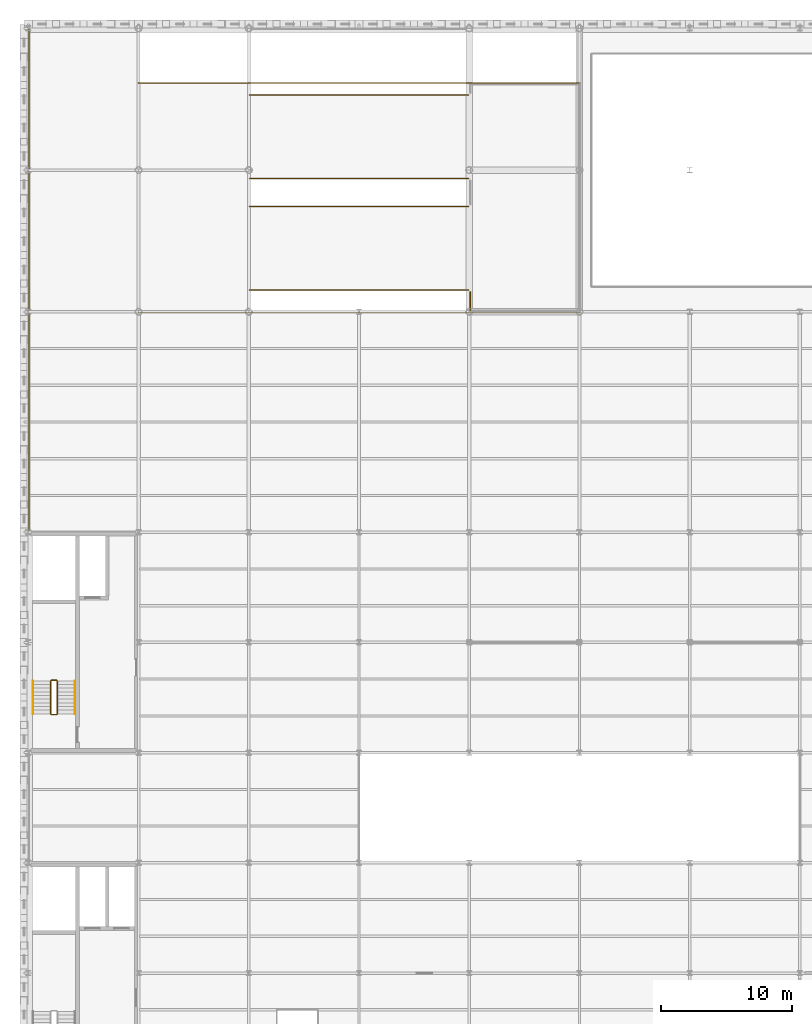
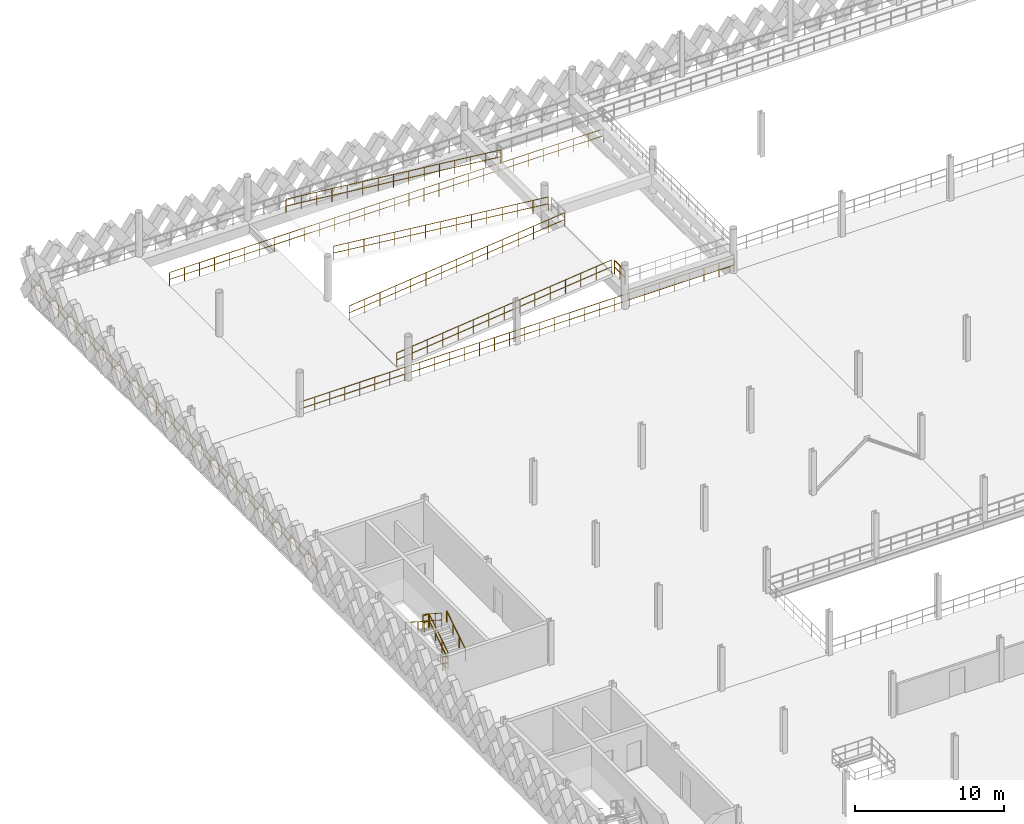
# One storey, part 69 of 74: 14 railings.
"""IFC4 building model written with IfcOpenShell, lengths in metres."""

from ifc_helpers import new_model, si_unit, direction, frame, origin, origin_2d, place, context, subcontext, project, spatial, circle, extrude, material, type_object, element, save


model = new_model("IFC4")

# Units and contexts
model_context = context("Model", 3, precision=1e-05, world=origin(), true_north=direction((0.0, 1.0)))
body_context = subcontext(model_context, "Body", "Model", "MODEL_VIEW")
ifc_project = project(units=[si_unit("LENGTHUNIT", "METRE"), si_unit("AREAUNIT", "SQUARE_METRE"), si_unit("VOLUMEUNIT", "CUBIC_METRE"), si_unit("PLANEANGLEUNIT", "RADIAN"), si_unit("MASSUNIT", "GRAM", prefix="KILO"), si_unit("THERMODYNAMICTEMPERATUREUNIT", "KELVIN"), si_unit("POWERUNIT", "WATT")], contexts=[model_context])

# Site, building, storey
site_placement = place(None, origin())
site = spatial("IfcSite", under=ifc_project, at=site_placement, CompositionType="ELEMENT")
building_placement = place(site_placement, origin())
building = spatial("IfcBuilding", under=site, at=building_placement, Name="Tembeka Court Mobility Hub", CompositionType="ELEMENT")
storey_placement = place(building_placement, frame((0.0, 0.0, 12.60009765625)))
storey = spatial("IfcBuildingStorey", under=building, at=storey_placement, Name="L03", CompositionType="ELEMENT", Elevation=12.60009765625)

# Railings
ifc_material_1 = material(Name="Painted galvanised steel balustrade", Category="steel")
railing_type_1 = type_object("IfcRailingType", Name="RL-GR01", PredefinedType="GUARDRAIL", material=ifc_material_1)
railing_1_placement = place(storey_placement, frame((2.199951171875, 66.550048828125, 0.179931640625)))
element("IfcRailing", 1, at=railing_1_placement, inside=storey, type_object=railing_type_1, Name="L03 ST03 stair guard 1-1", PredefinedType="GUARDRAIL", context=body_context, shape_type="SweptSolid", body=[
    extrude(circle(Radius=0.02392578125, at=origin_2d()), frame((0.0, 0.0, 1.09619140625), z_axis=(0.0, 0.841199657755, 0.540724639528), x_axis=(-1.0, 0.0, 0.0)), (0.0, 0.0, 1.0), 2.995849609375),
    extrude(circle(Radius=0.02392578125, at=origin_2d()), frame((0.0, 0.0, 0.5361328125), z_axis=(0.0, 0.841199657755, 0.540724639528), x_axis=(-1.0, 0.0, 0.0)), (0.0, 0.0, 1.0), 2.995849609375),
    extrude(circle(Radius=0.02099609375, at=origin_2d()), origin(), (0.0, 0.0, 1.0), 1.072021484375),
    extrude(circle(Radius=0.02099609375, at=origin_2d()), frame((0.0, 0.840087890625, 0.5400390625)), (0.0, 0.0, 1.0), 1.072021484375),
    extrude(circle(Radius=0.02099609375, at=origin_2d()), frame((0.0, 1.679931640625, 1.079833984375)), (0.0, 0.0, 1.0), 1.072021484375),
    extrude(circle(Radius=0.02099609375, at=origin_2d()), frame((0.0, 2.52001953125, 1.619873046875)), (0.0, 0.0, 1.0), 1.072021484375),
])
railing_2_placement = place(storey_placement, frame((2.14990234375, 69.1201171875, 1.7998046875)))
element("IfcRailing", 2, at=railing_2_placement, inside=storey, type_object=railing_type_1, Name="L03 ST03 stair guard 2-1", PredefinedType="GUARDRAIL", context=body_context, shape_type="SweptSolid", body=[
    extrude(circle(Radius=0.02392578125, at=origin_2d()), frame((0.0, 0.0, 1.09619140625), z_axis=(-1.0, 0.0, 0.0), x_axis=(0.0, -1.0, 0.0)), (0.0, 0.0, 1.0), 0.39990234375),
    extrude(circle(Radius=0.02392578125, at=origin_2d()), frame((0.0, 0.0, 0.5361328125), z_axis=(-1.0, 0.0, 0.0), x_axis=(0.0, -1.0, 0.0)), (0.0, 0.0, 1.0), 0.39990234375),
    extrude(circle(Radius=0.02099609375, at=origin_2d()), origin(), (0.0, 0.0, 1.0), 1.072021484375),
    extrude(circle(Radius=0.02099609375, at=origin_2d()), frame((-0.39990234375, 0.0, 0.0)), (0.0, 0.0, 1.0), 1.072021484375),
])
railing_3_placement = place(storey_placement, frame((1.699951171875, 69.070068359375, 1.97998046875)))
element("IfcRailing", 3, at=railing_3_placement, inside=storey, type_object=railing_type_1, Name="L03 ST03 stair guard 3-1", PredefinedType="GUARDRAIL", context=body_context, shape_type="SweptSolid", body=[
    extrude(circle(Radius=0.02392578125, at=origin_2d()), frame((0.0, 0.0, 1.09619140625), z_axis=(0.0, -0.841199657755, 0.540724639528), x_axis=(1.0, 0.0, 0.0)), (0.0, 0.0, 1.0), 2.995849609375),
    extrude(circle(Radius=0.02392578125, at=origin_2d()), frame((0.0, 0.0, 0.5361328125), z_axis=(0.0, -0.841199657755, 0.540724639528), x_axis=(1.0, 0.0, 0.0)), (0.0, 0.0, 1.0), 2.995849609375),
    extrude(circle(Radius=0.02099609375, at=origin_2d()), origin(), (0.0, 0.0, 1.0), 1.072021484375),
    extrude(circle(Radius=0.02099609375, at=origin_2d()), frame((0.0, -0.840087890625, 0.5400390625)), (0.0, 0.0, 1.0), 1.072021484375),
    extrude(circle(Radius=0.02099609375, at=origin_2d()), frame((0.0, -1.679931640625, 1.079833984375)), (0.0, 0.0, 1.0), 1.072021484375),
    extrude(circle(Radius=0.02099609375, at=origin_2d()), frame((0.0, -2.52001953125, 1.619873046875)), (0.0, 0.0, 1.0), 1.072021484375),
])
railing_4_placement = place(storey_placement, frame((2.14990234375, 66.5, 0.0)))
element("IfcRailing", 4, at=railing_4_placement, inside=storey, type_object=railing_type_1, Name="L03 ST03 stair guard 4-1", PredefinedType="GUARDRAIL", context=body_context, shape_type="SweptSolid", body=[
    extrude(circle(Radius=0.02392578125, at=origin_2d()), frame((0.0, 0.0, 1.09619140625), z_axis=(-1.0, 0.0, 0.0), x_axis=(0.0, -1.0, 0.0)), (0.0, 0.0, 1.0), 0.39990234375),
    extrude(circle(Radius=0.02392578125, at=origin_2d()), frame((0.0, 0.0, 0.5361328125), z_axis=(-1.0, 0.0, 0.0), x_axis=(0.0, -1.0, 0.0)), (0.0, 0.0, 1.0), 0.39990234375),
    extrude(circle(Radius=0.02099609375, at=origin_2d()), origin(), (0.0, 0.0, 1.0), 1.072021484375),
    extrude(circle(Radius=0.02099609375, at=origin_2d()), frame((-0.39990234375, 0.0, 0.0)), (0.0, 0.0, 1.0), 1.072021484375),
])
railing_type_2 = type_object("IfcRailingType", Name="RL-GR02", PredefinedType="GUARDRAIL", material=ifc_material_1)
railing_5_placement = place(storey_placement, frame((0.050048828125, 80.429931640625, 0.0)))
element("IfcRailing", 5, at=railing_5_placement, inside=storey, type_object=railing_type_2, Name="Perimeter guard GR02-0123", PredefinedType="GUARDRAIL", context=body_context, shape_type="SweptSolid", body=[
    extrude(circle(Radius=0.02392578125, at=origin_2d()), frame((0.0, 0.0, 1.09619140625), z_axis=(0.0, 1.0, 0.0), x_axis=(-1.0, 0.0, 0.0)), (0.0, 0.0, 1.0), 38.2900390625),
    extrude(circle(Radius=0.02392578125, at=origin_2d()), frame((0.0, 0.0, 0.5361328125), z_axis=(0.0, 1.0, 0.0), x_axis=(-1.0, 0.0, 0.0)), (0.0, 0.0, 1.0), 38.2900390625),
    extrude(circle(Radius=0.02099609375, at=origin_2d()), origin(), (0.0, 0.0, 1.0), 1.072021484375),
    extrude(circle(Radius=0.02099609375, at=origin_2d()), frame((0.0, 1.196533203125, 0.0)), (0.0, 0.0, 1.0), 1.072021484375),
    extrude(circle(Radius=0.02099609375, at=origin_2d()), frame((0.0, 2.39306640625, 0.0)), (0.0, 0.0, 1.0), 1.072021484375),
    extrude(circle(Radius=0.02099609375, at=origin_2d()), frame((0.0, 3.589599609375, 0.0)), (0.0, 0.0, 1.0), 1.072021484375),
    extrude(circle(Radius=0.02099609375, at=origin_2d()), frame((0.0, 4.7861328125, 0.0)), (0.0, 0.0, 1.0), 1.072021484375),
    extrude(circle(Radius=0.02099609375, at=origin_2d()), frame((0.0, 5.98291015625, 0.0)), (0.0, 0.0, 1.0), 1.072021484375),
    extrude(circle(Radius=0.02099609375, at=origin_2d()), frame((0.0, 7.179443359375, 0.0)), (0.0, 0.0, 1.0), 1.072021484375),
    extrude(circle(Radius=0.02099609375, at=origin_2d()), frame((0.0, 8.3759765625, 0.0)), (0.0, 0.0, 1.0), 1.072021484375),
    extrude(circle(Radius=0.02099609375, at=origin_2d()), frame((0.0, 9.572509765625, 0.0)), (0.0, 0.0, 1.0), 1.072021484375),
    extrude(circle(Radius=0.02099609375, at=origin_2d()), frame((0.0, 10.76904296875, 0.0)), (0.0, 0.0, 1.0), 1.072021484375),
    extrude(circle(Radius=0.02099609375, at=origin_2d()), frame((0.0, 11.965576171875, 0.0)), (0.0, 0.0, 1.0), 1.072021484375),
    extrude(circle(Radius=0.02099609375, at=origin_2d()), frame((0.0, 13.162109375, 0.0)), (0.0, 0.0, 1.0), 1.072021484375),
    extrude(circle(Radius=0.02099609375, at=origin_2d()), frame((0.0, 14.35888671875, 0.0)), (0.0, 0.0, 1.0), 1.072021484375),
    extrude(circle(Radius=0.02099609375, at=origin_2d()), frame((0.0, 15.555419921875, 0.0)), (0.0, 0.0, 1.0), 1.072021484375),
    extrude(circle(Radius=0.02099609375, at=origin_2d()), frame((0.0, 16.751953125, 0.0)), (0.0, 0.0, 1.0), 1.072021484375),
    extrude(circle(Radius=0.02099609375, at=origin_2d()), frame((0.0, 17.948486328125, 0.0)), (0.0, 0.0, 1.0), 1.072021484375),
    extrude(circle(Radius=0.02099609375, at=origin_2d()), frame((0.0, 19.14501953125, 0.0)), (0.0, 0.0, 1.0), 1.072021484375),
    extrude(circle(Radius=0.02099609375, at=origin_2d()), frame((0.0, 20.341552734375, 0.0)), (0.0, 0.0, 1.0), 1.072021484375),
    extrude(circle(Radius=0.02099609375, at=origin_2d()), frame((0.0, 21.5380859375, 0.0)), (0.0, 0.0, 1.0), 1.072021484375),
    extrude(circle(Radius=0.02099609375, at=origin_2d()), frame((0.0, 22.734619140625, 0.0)), (0.0, 0.0, 1.0), 1.072021484375),
    extrude(circle(Radius=0.02099609375, at=origin_2d()), frame((0.0, 23.93115234375, 0.0)), (0.0, 0.0, 1.0), 1.072021484375),
    extrude(circle(Radius=0.02099609375, at=origin_2d()), frame((0.0, 25.1279296875, 0.0)), (0.0, 0.0, 1.0), 1.072021484375),
    extrude(circle(Radius=0.02099609375, at=origin_2d()), frame((0.0, 26.324462890625, 0.0)), (0.0, 0.0, 1.0), 1.072021484375),
    extrude(circle(Radius=0.02099609375, at=origin_2d()), frame((0.0, 27.52099609375, 0.0)), (0.0, 0.0, 1.0), 1.072021484375),
    extrude(circle(Radius=0.02099609375, at=origin_2d()), frame((0.0, 28.717529296875, 0.0)), (0.0, 0.0, 1.0), 1.072021484375),
    extrude(circle(Radius=0.02099609375, at=origin_2d()), frame((0.0, 29.9140625, 0.0)), (0.0, 0.0, 1.0), 1.072021484375),
    extrude(circle(Radius=0.02099609375, at=origin_2d()), frame((0.0, 31.110595703125, 0.0)), (0.0, 0.0, 1.0), 1.072021484375),
    extrude(circle(Radius=0.02099609375, at=origin_2d()), frame((0.0, 32.30712890625, 0.0)), (0.0, 0.0, 1.0), 1.072021484375),
    extrude(circle(Radius=0.02099609375, at=origin_2d()), frame((0.0, 33.50390625, 0.0)), (0.0, 0.0, 1.0), 1.072021484375),
    extrude(circle(Radius=0.02099609375, at=origin_2d()), frame((0.0, 34.700439453125, 0.0)), (0.0, 0.0, 1.0), 1.072021484375),
    extrude(circle(Radius=0.02099609375, at=origin_2d()), frame((0.0, 35.89697265625, 0.0)), (0.0, 0.0, 1.0), 1.072021484375),
    extrude(circle(Radius=0.02099609375, at=origin_2d()), frame((0.0, 37.093505859375, 0.0)), (0.0, 0.0, 1.0), 1.072021484375),
    extrude(circle(Radius=0.02099609375, at=origin_2d()), frame((0.0, 38.2900390625, 0.0)), (0.0, 0.0, 1.0), 1.072021484375),
])
railing_6_placement = place(storey_placement, frame((8.3798828125, 97.14990234375, 0.0)))
element("IfcRailing", 6, at=railing_6_placement, inside=storey, type_object=railing_type_2, Name="Perimeter guard GR02-0193", PredefinedType="GUARDRAIL", context=body_context, shape_type="SweptSolid", body=[
    extrude(circle(Radius=0.02392578125, at=origin_2d()), frame((0.0, 0.0, 1.09619140625), z_axis=(1.0, 0.0, 0.0), x_axis=(0.0, 1.0, 0.0)), (0.0, 0.0, 1.0), 33.64013671875),
    extrude(circle(Radius=0.02392578125, at=origin_2d()), frame((0.0, 0.0, 0.5361328125), z_axis=(1.0, 0.0, 0.0), x_axis=(0.0, 1.0, 0.0)), (0.0, 0.0, 1.0), 33.64013671875),
    extrude(circle(Radius=0.02099609375, at=origin_2d()), origin(), (0.0, 0.0, 1.0), 1.072021484375),
    extrude(circle(Radius=0.02099609375, at=origin_2d()), frame((1.159912109375, 0.0, 0.0)), (0.0, 0.0, 1.0), 1.072021484375),
    extrude(circle(Radius=0.02099609375, at=origin_2d()), frame((2.320068359375, 0.0, 0.0)), (0.0, 0.0, 1.0), 1.072021484375),
    extrude(circle(Radius=0.02099609375, at=origin_2d()), frame((3.47998046875, 0.0, 0.0)), (0.0, 0.0, 1.0), 1.072021484375),
    extrude(circle(Radius=0.02099609375, at=origin_2d()), frame((4.64013671875, 0.0, 0.0)), (0.0, 0.0, 1.0), 1.072021484375),
    extrude(circle(Radius=0.02099609375, at=origin_2d()), frame((5.800048828125, 0.0, 0.0)), (0.0, 0.0, 1.0), 1.072021484375),
    extrude(circle(Radius=0.02099609375, at=origin_2d()), frame((6.9599609375, 0.0, 0.0)), (0.0, 0.0, 1.0), 1.072021484375),
    extrude(circle(Radius=0.02099609375, at=origin_2d()), frame((8.1201171875, 0.0, 0.0)), (0.0, 0.0, 1.0), 1.072021484375),
    extrude(circle(Radius=0.02099609375, at=origin_2d()), frame((9.280029296875, 0.0, 0.0)), (0.0, 0.0, 1.0), 1.072021484375),
    extrude(circle(Radius=0.02099609375, at=origin_2d()), frame((10.43994140625, 0.0, 0.0)), (0.0, 0.0, 1.0), 1.072021484375),
    extrude(circle(Radius=0.02099609375, at=origin_2d()), frame((11.60009765625, 0.0, 0.0)), (0.0, 0.0, 1.0), 1.072021484375),
    extrude(circle(Radius=0.02099609375, at=origin_2d()), frame((12.760009765625, 0.0, 0.0)), (0.0, 0.0, 1.0), 1.072021484375),
    extrude(circle(Radius=0.02099609375, at=origin_2d()), frame((13.920166015625, 0.0, 0.0)), (0.0, 0.0, 1.0), 1.072021484375),
    extrude(circle(Radius=0.02099609375, at=origin_2d()), frame((15.080078125, 0.0, 0.0)), (0.0, 0.0, 1.0), 1.072021484375),
    extrude(circle(Radius=0.02099609375, at=origin_2d()), frame((16.239990234375, 0.0, 0.0)), (0.0, 0.0, 1.0), 1.072021484375),
    extrude(circle(Radius=0.02099609375, at=origin_2d()), frame((17.400146484375, 0.0, 0.0)), (0.0, 0.0, 1.0), 1.072021484375),
    extrude(circle(Radius=0.02099609375, at=origin_2d()), frame((18.56005859375, 0.0, 0.0)), (0.0, 0.0, 1.0), 1.072021484375),
    extrude(circle(Radius=0.02099609375, at=origin_2d()), frame((19.719970703125, 0.0, 0.0)), (0.0, 0.0, 1.0), 1.072021484375),
    extrude(circle(Radius=0.02099609375, at=origin_2d()), frame((20.880126953125, 0.0, 0.0)), (0.0, 0.0, 1.0), 1.072021484375),
    extrude(circle(Radius=0.02099609375, at=origin_2d()), frame((22.0400390625, 0.0, 0.0)), (0.0, 0.0, 1.0), 1.072021484375),
    extrude(circle(Radius=0.02099609375, at=origin_2d()), frame((23.2001953125, 0.0, 0.0)), (0.0, 0.0, 1.0), 1.072021484375),
    extrude(circle(Radius=0.02099609375, at=origin_2d()), frame((24.360107421875, 0.0, 0.0)), (0.0, 0.0, 1.0), 1.072021484375),
    extrude(circle(Radius=0.02099609375, at=origin_2d()), frame((25.52001953125, 0.0, 0.0)), (0.0, 0.0, 1.0), 1.072021484375),
    extrude(circle(Radius=0.02099609375, at=origin_2d()), frame((26.68017578125, 0.0, 0.0)), (0.0, 0.0, 1.0), 1.072021484375),
    extrude(circle(Radius=0.02099609375, at=origin_2d()), frame((27.840087890625, 0.0, 0.0)), (0.0, 0.0, 1.0), 1.072021484375),
    extrude(circle(Radius=0.02099609375, at=origin_2d()), frame((29.0, 0.0, 0.0)), (0.0, 0.0, 1.0), 1.072021484375),
    extrude(circle(Radius=0.02099609375, at=origin_2d()), frame((30.16015625, 0.0, 0.0)), (0.0, 0.0, 1.0), 1.072021484375),
    extrude(circle(Radius=0.02099609375, at=origin_2d()), frame((31.320068359375, 0.0, 0.0)), (0.0, 0.0, 1.0), 1.072021484375),
    extrude(circle(Radius=0.02099609375, at=origin_2d()), frame((32.480224609375, 0.0, 0.0)), (0.0, 0.0, 1.0), 1.072021484375),
    extrude(circle(Radius=0.02099609375, at=origin_2d()), frame((33.64013671875, 0.0, 0.0)), (0.0, 0.0, 1.0), 1.072021484375),
])
railing_7_placement = place(storey_placement, frame((8.3798828125, 114.64990234375, 0.0)))
element("IfcRailing", 7, at=railing_7_placement, inside=storey, type_object=railing_type_2, Name="Perimeter guard GR02-0194", PredefinedType="GUARDRAIL", context=body_context, shape_type="SweptSolid", body=[
    extrude(circle(Radius=0.02392578125, at=origin_2d()), frame((0.0, 0.0, 1.09619140625), z_axis=(1.0, 0.0, 0.0), x_axis=(0.0, 1.0, 0.0)), (0.0, 0.0, 1.0), 33.64013671875),
    extrude(circle(Radius=0.02392578125, at=origin_2d()), frame((0.0, 0.0, 0.5361328125), z_axis=(1.0, 0.0, 0.0), x_axis=(0.0, 1.0, 0.0)), (0.0, 0.0, 1.0), 33.64013671875),
    extrude(circle(Radius=0.02099609375, at=origin_2d()), origin(), (0.0, 0.0, 1.0), 1.072021484375),
    extrude(circle(Radius=0.02099609375, at=origin_2d()), frame((1.159912109375, 0.0, 0.0)), (0.0, 0.0, 1.0), 1.072021484375),
    extrude(circle(Radius=0.02099609375, at=origin_2d()), frame((2.320068359375, 0.0, 0.0)), (0.0, 0.0, 1.0), 1.072021484375),
    extrude(circle(Radius=0.02099609375, at=origin_2d()), frame((3.47998046875, 0.0, 0.0)), (0.0, 0.0, 1.0), 1.072021484375),
    extrude(circle(Radius=0.02099609375, at=origin_2d()), frame((4.64013671875, 0.0, 0.0)), (0.0, 0.0, 1.0), 1.072021484375),
    extrude(circle(Radius=0.02099609375, at=origin_2d()), frame((5.800048828125, 0.0, 0.0)), (0.0, 0.0, 1.0), 1.072021484375),
    extrude(circle(Radius=0.02099609375, at=origin_2d()), frame((6.9599609375, 0.0, 0.0)), (0.0, 0.0, 1.0), 1.072021484375),
    extrude(circle(Radius=0.02099609375, at=origin_2d()), frame((8.1201171875, 0.0, 0.0)), (0.0, 0.0, 1.0), 1.072021484375),
    extrude(circle(Radius=0.02099609375, at=origin_2d()), frame((9.280029296875, 0.0, 0.0)), (0.0, 0.0, 1.0), 1.072021484375),
    extrude(circle(Radius=0.02099609375, at=origin_2d()), frame((10.43994140625, 0.0, 0.0)), (0.0, 0.0, 1.0), 1.072021484375),
    extrude(circle(Radius=0.02099609375, at=origin_2d()), frame((11.60009765625, 0.0, 0.0)), (0.0, 0.0, 1.0), 1.072021484375),
    extrude(circle(Radius=0.02099609375, at=origin_2d()), frame((12.760009765625, 0.0, 0.0)), (0.0, 0.0, 1.0), 1.072021484375),
    extrude(circle(Radius=0.02099609375, at=origin_2d()), frame((13.920166015625, 0.0, 0.0)), (0.0, 0.0, 1.0), 1.072021484375),
    extrude(circle(Radius=0.02099609375, at=origin_2d()), frame((15.080078125, 0.0, 0.0)), (0.0, 0.0, 1.0), 1.072021484375),
    extrude(circle(Radius=0.02099609375, at=origin_2d()), frame((16.239990234375, 0.0, 0.0)), (0.0, 0.0, 1.0), 1.072021484375),
    extrude(circle(Radius=0.02099609375, at=origin_2d()), frame((17.400146484375, 0.0, 0.0)), (0.0, 0.0, 1.0), 1.072021484375),
    extrude(circle(Radius=0.02099609375, at=origin_2d()), frame((18.56005859375, 0.0, 0.0)), (0.0, 0.0, 1.0), 1.072021484375),
    extrude(circle(Radius=0.02099609375, at=origin_2d()), frame((19.719970703125, 0.0, 0.0)), (0.0, 0.0, 1.0), 1.072021484375),
    extrude(circle(Radius=0.02099609375, at=origin_2d()), frame((20.880126953125, 0.0, 0.0)), (0.0, 0.0, 1.0), 1.072021484375),
    extrude(circle(Radius=0.02099609375, at=origin_2d()), frame((22.0400390625, 0.0, 0.0)), (0.0, 0.0, 1.0), 1.072021484375),
    extrude(circle(Radius=0.02099609375, at=origin_2d()), frame((23.2001953125, 0.0, 0.0)), (0.0, 0.0, 1.0), 1.072021484375),
    extrude(circle(Radius=0.02099609375, at=origin_2d()), frame((24.360107421875, 0.0, 0.0)), (0.0, 0.0, 1.0), 1.072021484375),
    extrude(circle(Radius=0.02099609375, at=origin_2d()), frame((25.52001953125, 0.0, 0.0)), (0.0, 0.0, 1.0), 1.072021484375),
    extrude(circle(Radius=0.02099609375, at=origin_2d()), frame((26.68017578125, 0.0, 0.0)), (0.0, 0.0, 1.0), 1.072021484375),
    extrude(circle(Radius=0.02099609375, at=origin_2d()), frame((27.840087890625, 0.0, 0.0)), (0.0, 0.0, 1.0), 1.072021484375),
    extrude(circle(Radius=0.02099609375, at=origin_2d()), frame((29.0, 0.0, 0.0)), (0.0, 0.0, 1.0), 1.072021484375),
    extrude(circle(Radius=0.02099609375, at=origin_2d()), frame((30.16015625, 0.0, 0.0)), (0.0, 0.0, 1.0), 1.072021484375),
    extrude(circle(Radius=0.02099609375, at=origin_2d()), frame((31.320068359375, 0.0, 0.0)), (0.0, 0.0, 1.0), 1.072021484375),
    extrude(circle(Radius=0.02099609375, at=origin_2d()), frame((32.480224609375, 0.0, 0.0)), (0.0, 0.0, 1.0), 1.072021484375),
    extrude(circle(Radius=0.02099609375, at=origin_2d()), frame((33.64013671875, 0.0, 0.0)), (0.0, 0.0, 1.0), 1.072021484375),
])
railing_8_placement = place(storey_placement, frame((16.869873046875, 98.8701171875, 0.003173828125)))
element("IfcRailing", 8, at=railing_8_placement, inside=storey, type_object=railing_type_2, Name="Perimeter guard GR02-0242", PredefinedType="GUARDRAIL", context=body_context, shape_type="SweptSolid", body=[
    extrude(circle(Radius=0.02392578125, at=origin_2d()), frame((0.0, 0.0, 1.09619140625), z_axis=(0.994255840215, 0.0, 0.107029548251), x_axis=(0.0, 1.0, 0.0)), (0.0, 0.0, 1.0), 16.756591796875),
    extrude(circle(Radius=0.02392578125, at=origin_2d()), frame((0.0, 0.0, 0.5361328125), z_axis=(0.994255840215, 0.0, 0.107029548251), x_axis=(0.0, 1.0, 0.0)), (0.0, 0.0, 1.0), 16.756591796875),
    extrude(circle(Radius=0.02099609375, at=origin_2d()), origin(), (0.0, 0.0, 1.0), 1.072021484375),
    extrude(circle(Radius=0.02099609375, at=origin_2d()), frame((1.18994140625, 0.0, 0.128173828125)), (0.0, 0.0, 1.0), 1.072021484375),
    extrude(circle(Radius=0.02099609375, at=origin_2d()), frame((2.380126953125, 0.0, 0.256103515625)), (0.0, 0.0, 1.0), 1.072021484375),
    extrude(circle(Radius=0.02099609375, at=origin_2d()), frame((3.570068359375, 0.0, 0.38427734375)), (0.0, 0.0, 1.0), 1.072021484375),
    extrude(circle(Radius=0.02099609375, at=origin_2d()), frame((4.760009765625, 0.0, 0.512451171875)), (0.0, 0.0, 1.0), 1.072021484375),
    extrude(circle(Radius=0.02099609375, at=origin_2d()), frame((5.9501953125, 0.0, 0.640625)), (0.0, 0.0, 1.0), 1.072021484375),
    extrude(circle(Radius=0.02099609375, at=origin_2d()), frame((7.14013671875, 0.0, 0.7685546875)), (0.0, 0.0, 1.0), 1.072021484375),
    extrude(circle(Radius=0.02099609375, at=origin_2d()), frame((8.330078125, 0.0, 0.896728515625)), (0.0, 0.0, 1.0), 1.072021484375),
    extrude(circle(Radius=0.02099609375, at=origin_2d()), frame((9.520263671875, 0.0, 1.02490234375)), (0.0, 0.0, 1.0), 1.072021484375),
    extrude(circle(Radius=0.02099609375, at=origin_2d()), frame((10.710205078125, 0.0, 1.15283203125)), (0.0, 0.0, 1.0), 1.072021484375),
    extrude(circle(Radius=0.02099609375, at=origin_2d()), frame((11.900390625, 0.0, 1.281005859375)), (0.0, 0.0, 1.0), 1.072021484375),
    extrude(circle(Radius=0.02099609375, at=origin_2d()), frame((13.09033203125, 0.0, 1.4091796875)), (0.0, 0.0, 1.0), 1.072021484375),
    extrude(circle(Radius=0.02099609375, at=origin_2d()), frame((14.2802734375, 0.0, 1.537353515625)), (0.0, 0.0, 1.0), 1.072021484375),
    extrude(circle(Radius=0.02099609375, at=origin_2d()), frame((15.470458984375, 0.0, 1.665283203125)), (0.0, 0.0, 1.0), 1.072021484375),
    extrude(circle(Radius=0.02099609375, at=origin_2d()), frame((16.660400390625, 0.0, 1.79345703125)), (0.0, 0.0, 1.0), 1.072021484375),
])
railing_9_placement = place(storey_placement, frame((33.5302734375, 107.3701171875, 1.80322265625)))
element("IfcRailing", 9, at=railing_9_placement, inside=storey, type_object=railing_type_2, Name="Perimeter guard GR02-0243", PredefinedType="GUARDRAIL", context=body_context, shape_type="SweptSolid", body=[
    extrude(circle(Radius=0.02392578125, at=origin_2d()), frame((0.0, 0.0, 1.09619140625), z_axis=(-0.994255840215, 0.0, 0.107029548251), x_axis=(0.0, -1.0, 0.0)), (0.0, 0.0, 1.0), 16.756591796875),
    extrude(circle(Radius=0.02392578125, at=origin_2d()), frame((0.0, 0.0, 0.5361328125), z_axis=(-0.994255840215, 0.0, 0.107029548251), x_axis=(0.0, -1.0, 0.0)), (0.0, 0.0, 1.0), 16.756591796875),
    extrude(circle(Radius=0.02099609375, at=origin_2d()), origin(), (0.0, 0.0, 1.0), 1.072021484375),
    extrude(circle(Radius=0.02099609375, at=origin_2d()), frame((-1.18994140625, 0.0, 0.128173828125)), (0.0, 0.0, 1.0), 1.072021484375),
    extrude(circle(Radius=0.02099609375, at=origin_2d()), frame((-2.380126953125, 0.0, 0.256103515625)), (0.0, 0.0, 1.0), 1.072021484375),
    extrude(circle(Radius=0.02099609375, at=origin_2d()), frame((-3.570068359375, 0.0, 0.38427734375)), (0.0, 0.0, 1.0), 1.072021484375),
    extrude(circle(Radius=0.02099609375, at=origin_2d()), frame((-4.760009765625, 0.0, 0.512451171875)), (0.0, 0.0, 1.0), 1.072021484375),
    extrude(circle(Radius=0.02099609375, at=origin_2d()), frame((-5.9501953125, 0.0, 0.640625)), (0.0, 0.0, 1.0), 1.072021484375),
    extrude(circle(Radius=0.02099609375, at=origin_2d()), frame((-7.14013671875, 0.0, 0.7685546875)), (0.0, 0.0, 1.0), 1.072021484375),
    extrude(circle(Radius=0.02099609375, at=origin_2d()), frame((-8.330078125, 0.0, 0.896728515625)), (0.0, 0.0, 1.0), 1.072021484375),
    extrude(circle(Radius=0.02099609375, at=origin_2d()), frame((-9.520263671875, 0.0, 1.02490234375)), (0.0, 0.0, 1.0), 1.072021484375),
    extrude(circle(Radius=0.02099609375, at=origin_2d()), frame((-10.710205078125, 0.0, 1.15283203125)), (0.0, 0.0, 1.0), 1.072021484375),
    extrude(circle(Radius=0.02099609375, at=origin_2d()), frame((-11.900390625, 0.0, 1.281005859375)), (0.0, 0.0, 1.0), 1.072021484375),
    extrude(circle(Radius=0.02099609375, at=origin_2d()), frame((-13.09033203125, 0.0, 1.4091796875)), (0.0, 0.0, 1.0), 1.072021484375),
    extrude(circle(Radius=0.02099609375, at=origin_2d()), frame((-14.2802734375, 0.0, 1.537353515625)), (0.0, 0.0, 1.0), 1.072021484375),
    extrude(circle(Radius=0.02099609375, at=origin_2d()), frame((-15.470458984375, 0.0, 1.665283203125)), (0.0, 0.0, 1.0), 1.072021484375),
    extrude(circle(Radius=0.02099609375, at=origin_2d()), frame((-16.660400390625, 0.0, 1.79345703125)), (0.0, 0.0, 1.0), 1.072021484375),
])
railing_10_placement = place(storey_placement, frame((16.869873046875, 105.22998046875, 0.003173828125)))
element("IfcRailing", 10, at=railing_10_placement, inside=storey, type_object=railing_type_2, Name="Perimeter guard GR02-0244", PredefinedType="GUARDRAIL", context=body_context, shape_type="SweptSolid", body=[
    extrude(circle(Radius=0.02392578125, at=origin_2d()), frame((0.0, 0.0, 1.09619140625), z_axis=(0.994255840215, 0.0, 0.107029548251), x_axis=(0.0, 1.0, 0.0)), (0.0, 0.0, 1.0), 16.756591796875),
    extrude(circle(Radius=0.02392578125, at=origin_2d()), frame((0.0, 0.0, 0.5361328125), z_axis=(0.994255840215, 0.0, 0.107029548251), x_axis=(0.0, 1.0, 0.0)), (0.0, 0.0, 1.0), 16.756591796875),
    extrude(circle(Radius=0.02099609375, at=origin_2d()), origin(), (0.0, 0.0, 1.0), 1.072021484375),
    extrude(circle(Radius=0.02099609375, at=origin_2d()), frame((1.18994140625, 0.0, 0.128173828125)), (0.0, 0.0, 1.0), 1.072021484375),
    extrude(circle(Radius=0.02099609375, at=origin_2d()), frame((2.380126953125, 0.0, 0.256103515625)), (0.0, 0.0, 1.0), 1.072021484375),
    extrude(circle(Radius=0.02099609375, at=origin_2d()), frame((3.570068359375, 0.0, 0.38427734375)), (0.0, 0.0, 1.0), 1.072021484375),
    extrude(circle(Radius=0.02099609375, at=origin_2d()), frame((4.760009765625, 0.0, 0.512451171875)), (0.0, 0.0, 1.0), 1.072021484375),
    extrude(circle(Radius=0.02099609375, at=origin_2d()), frame((5.9501953125, 0.0, 0.640625)), (0.0, 0.0, 1.0), 1.072021484375),
    extrude(circle(Radius=0.02099609375, at=origin_2d()), frame((7.14013671875, 0.0, 0.7685546875)), (0.0, 0.0, 1.0), 1.072021484375),
    extrude(circle(Radius=0.02099609375, at=origin_2d()), frame((8.330078125, 0.0, 0.896728515625)), (0.0, 0.0, 1.0), 1.072021484375),
    extrude(circle(Radius=0.02099609375, at=origin_2d()), frame((9.520263671875, 0.0, 1.02490234375)), (0.0, 0.0, 1.0), 1.072021484375),
    extrude(circle(Radius=0.02099609375, at=origin_2d()), frame((10.710205078125, 0.0, 1.15283203125)), (0.0, 0.0, 1.0), 1.072021484375),
    extrude(circle(Radius=0.02099609375, at=origin_2d()), frame((11.900390625, 0.0, 1.281005859375)), (0.0, 0.0, 1.0), 1.072021484375),
    extrude(circle(Radius=0.02099609375, at=origin_2d()), frame((13.09033203125, 0.0, 1.4091796875)), (0.0, 0.0, 1.0), 1.072021484375),
    extrude(circle(Radius=0.02099609375, at=origin_2d()), frame((14.2802734375, 0.0, 1.537353515625)), (0.0, 0.0, 1.0), 1.072021484375),
    extrude(circle(Radius=0.02099609375, at=origin_2d()), frame((15.470458984375, 0.0, 1.665283203125)), (0.0, 0.0, 1.0), 1.072021484375),
    extrude(circle(Radius=0.02099609375, at=origin_2d()), frame((16.660400390625, 0.0, 1.79345703125)), (0.0, 0.0, 1.0), 1.072021484375),
])
railing_11_placement = place(storey_placement, frame((33.5302734375, 113.72998046875, 1.80322265625)))
element("IfcRailing", 11, at=railing_11_placement, inside=storey, type_object=railing_type_2, Name="Perimeter guard GR02-0245", PredefinedType="GUARDRAIL", context=body_context, shape_type="SweptSolid", body=[
    extrude(circle(Radius=0.02392578125, at=origin_2d()), frame((0.0, 0.0, 1.09619140625), z_axis=(-0.994255840215, 0.0, 0.107029548251), x_axis=(0.0, -1.0, 0.0)), (0.0, 0.0, 1.0), 16.756591796875),
    extrude(circle(Radius=0.02392578125, at=origin_2d()), frame((0.0, 0.0, 0.5361328125), z_axis=(-0.994255840215, 0.0, 0.107029548251), x_axis=(0.0, -1.0, 0.0)), (0.0, 0.0, 1.0), 16.756591796875),
    extrude(circle(Radius=0.02099609375, at=origin_2d()), origin(), (0.0, 0.0, 1.0), 1.072021484375),
    extrude(circle(Radius=0.02099609375, at=origin_2d()), frame((-1.18994140625, 0.0, 0.128173828125)), (0.0, 0.0, 1.0), 1.072021484375),
    extrude(circle(Radius=0.02099609375, at=origin_2d()), frame((-2.380126953125, 0.0, 0.256103515625)), (0.0, 0.0, 1.0), 1.072021484375),
    extrude(circle(Radius=0.02099609375, at=origin_2d()), frame((-3.570068359375, 0.0, 0.38427734375)), (0.0, 0.0, 1.0), 1.072021484375),
    extrude(circle(Radius=0.02099609375, at=origin_2d()), frame((-4.760009765625, 0.0, 0.512451171875)), (0.0, 0.0, 1.0), 1.072021484375),
    extrude(circle(Radius=0.02099609375, at=origin_2d()), frame((-5.9501953125, 0.0, 0.640625)), (0.0, 0.0, 1.0), 1.072021484375),
    extrude(circle(Radius=0.02099609375, at=origin_2d()), frame((-7.14013671875, 0.0, 0.7685546875)), (0.0, 0.0, 1.0), 1.072021484375),
    extrude(circle(Radius=0.02099609375, at=origin_2d()), frame((-8.330078125, 0.0, 0.896728515625)), (0.0, 0.0, 1.0), 1.072021484375),
    extrude(circle(Radius=0.02099609375, at=origin_2d()), frame((-9.520263671875, 0.0, 1.02490234375)), (0.0, 0.0, 1.0), 1.072021484375),
    extrude(circle(Radius=0.02099609375, at=origin_2d()), frame((-10.710205078125, 0.0, 1.15283203125)), (0.0, 0.0, 1.0), 1.072021484375),
    extrude(circle(Radius=0.02099609375, at=origin_2d()), frame((-11.900390625, 0.0, 1.281005859375)), (0.0, 0.0, 1.0), 1.072021484375),
    extrude(circle(Radius=0.02099609375, at=origin_2d()), frame((-13.09033203125, 0.0, 1.4091796875)), (0.0, 0.0, 1.0), 1.072021484375),
    extrude(circle(Radius=0.02099609375, at=origin_2d()), frame((-14.2802734375, 0.0, 1.537353515625)), (0.0, 0.0, 1.0), 1.072021484375),
    extrude(circle(Radius=0.02099609375, at=origin_2d()), frame((-15.470458984375, 0.0, 1.665283203125)), (0.0, 0.0, 1.0), 1.072021484375),
    extrude(circle(Radius=0.02099609375, at=origin_2d()), frame((-16.660400390625, 0.0, 1.79345703125)), (0.0, 0.0, 1.0), 1.072021484375),
])
railing_12_placement = place(storey_placement, frame((33.679931640625, 97.31005859375, 1.7998046875)))
element("IfcRailing", 12, at=railing_12_placement, inside=storey, type_object=railing_type_2, Name="Perimeter guard GR02-0249", PredefinedType="GUARDRAIL", context=body_context, shape_type="SweptSolid", body=[
    extrude(circle(Radius=0.02392578125, at=origin_2d()), frame((0.0, 0.0, 1.09619140625), z_axis=(0.0, 1.0, 0.0), x_axis=(-1.0, 0.0, 0.0)), (0.0, 0.0, 1.0), 1.409912109375),
    extrude(circle(Radius=0.02392578125, at=origin_2d()), frame((0.0, 0.0, 0.5361328125), z_axis=(0.0, 1.0, 0.0), x_axis=(-1.0, 0.0, 0.0)), (0.0, 0.0, 1.0), 1.409912109375),
    extrude(circle(Radius=0.02099609375, at=origin_2d()), origin(), (0.0, 0.0, 1.0), 1.072021484375),
    extrude(circle(Radius=0.02099609375, at=origin_2d()), frame((0.0, 0.705078125, 0.0)), (0.0, 0.0, 1.0), 1.072021484375),
    extrude(circle(Radius=0.02099609375, at=origin_2d()), frame((0.0, 1.409912109375, 0.0)), (0.0, 0.0, 1.0), 1.072021484375),
])
ifc_material_2 = material(Name="Brushed stainless steel handrail", Category="steel")
railing_type_3 = type_object("IfcRailingType", Name="RL-HR01", PredefinedType="HANDRAIL", material=ifc_material_2)
railing_13_placement = place(storey_placement, frame((3.550048828125, 66.550048828125, 0.179931640625)))
element("IfcRailing", 13, at=railing_13_placement, inside=storey, type_object=railing_type_3, Name="L03 ST03 handrail 1-1", PredefinedType="HANDRAIL", context=body_context, shape_type="SweptSolid", body=[
    extrude(circle(Radius=0.02392578125, at=origin_2d()), frame((0.0, 0.0, 0.89599609375), z_axis=(0.0, 0.841199657755, 0.540724639528), x_axis=(-1.0, 0.0, 0.0)), (0.0, 0.0, 1.0), 2.995849609375),
    extrude(circle(Radius=0.02099609375, at=origin_2d()), origin(), (0.0, 0.0, 1.0), 0.871826171875),
    extrude(circle(Radius=0.02099609375, at=origin_2d()), frame((0.0, 0.840087890625, 0.5400390625)), (0.0, 0.0, 1.0), 0.871826171875),
    extrude(circle(Radius=0.02099609375, at=origin_2d()), frame((0.0, 1.679931640625, 1.079833984375)), (0.0, 0.0, 1.0), 0.871826171875),
    extrude(circle(Radius=0.02099609375, at=origin_2d()), frame((0.0, 2.52001953125, 1.619873046875)), (0.0, 0.0, 1.0), 0.871826171875),
])
railing_14_placement = place(storey_placement, frame((0.35009765625, 69.070068359375, 1.97998046875)))
element("IfcRailing", 14, at=railing_14_placement, inside=storey, type_object=railing_type_3, Name="L03 ST03 handrail 2-1", PredefinedType="HANDRAIL", context=body_context, shape_type="SweptSolid", body=[
    extrude(circle(Radius=0.02392578125, at=origin_2d()), frame((0.0, 0.0, 0.89599609375), z_axis=(0.0, -0.841199657755, 0.540724639528), x_axis=(1.0, 0.0, 0.0)), (0.0, 0.0, 1.0), 2.995849609375),
    extrude(circle(Radius=0.02099609375, at=origin_2d()), origin(), (0.0, 0.0, 1.0), 0.871826171875),
    extrude(circle(Radius=0.02099609375, at=origin_2d()), frame((0.0, -0.840087890625, 0.5400390625)), (0.0, 0.0, 1.0), 0.871826171875),
    extrude(circle(Radius=0.02099609375, at=origin_2d()), frame((0.0, -1.679931640625, 1.079833984375)), (0.0, 0.0, 1.0), 0.871826171875),
    extrude(circle(Radius=0.02099609375, at=origin_2d()), frame((0.0, -2.52001953125, 1.619873046875)), (0.0, 0.0, 1.0), 0.871826171875),
])

save(model, "model.ifc")
